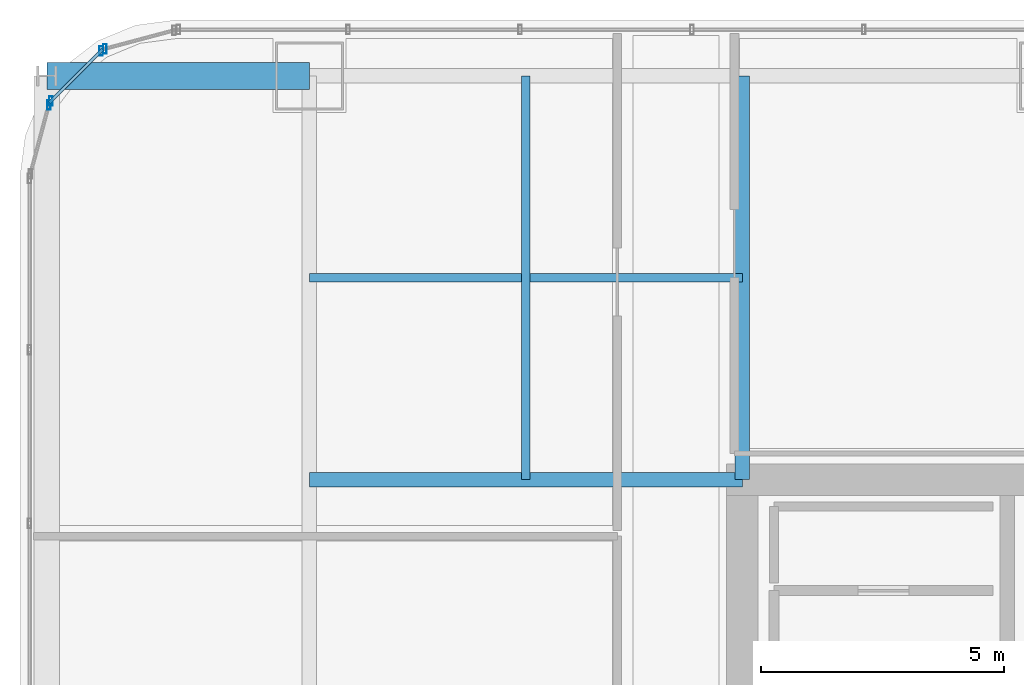
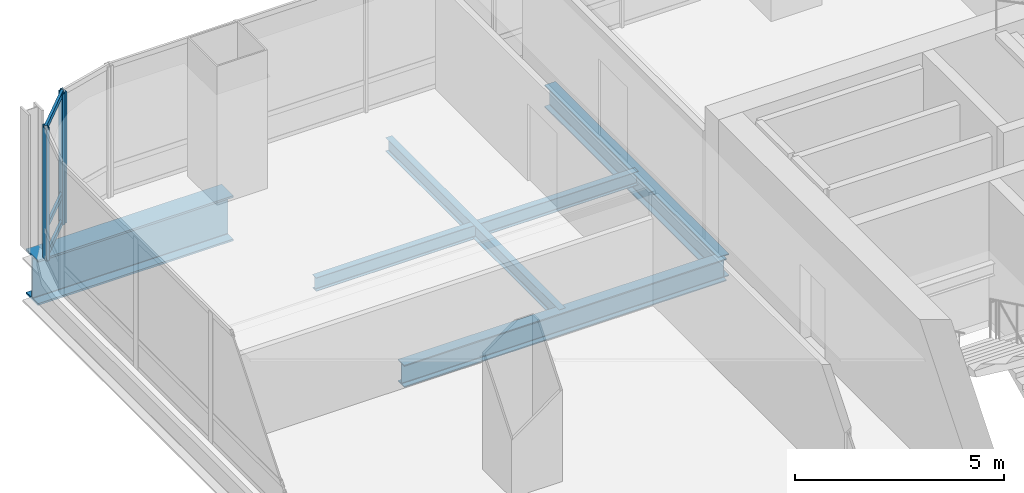
# One storey, part 19 of 37: 7 members, 5 beams, 3 elements without a shape of their own.
"""IFC4 building model written with IfcOpenShell, lengths in metres."""

from ifc_helpers import new_model, si_unit, direction, frame, origin, origin_2d, place, context, subcontext, project, spatial, hollow_rectangle, i_section, extrude, material, material_profile, profile_set, type_object, element, aggregate, save


model = new_model("IFC4")

# Units and contexts
model_context = context("Model", 3, precision=1e-05, world=origin(), true_north=direction((0.0, 1.0)))
body_context = subcontext(model_context, "Body", "Model", "MODEL_VIEW")
ifc_project = project(units=[si_unit("LENGTHUNIT", "METRE"), si_unit("AREAUNIT", "SQUARE_METRE"), si_unit("VOLUMEUNIT", "CUBIC_METRE"), si_unit("PLANEANGLEUNIT", "RADIAN"), si_unit("MASSUNIT", "GRAM", prefix="KILO")], contexts=[model_context])

# Site, building, storey
site_placement = place(None, origin())
site = spatial("IfcSite", under=ifc_project, at=site_placement, CompositionType="ELEMENT")
building_placement = place(site_placement, origin())
building = spatial("IfcBuilding", under=site, at=building_placement, Name="Punatoya Terracotta Tower", CompositionType="ELEMENT")
storey_placement = place(building_placement, frame((0.0, 0.0, 192.449951171875)))
storey = spatial("IfcBuildingStorey", under=building, at=storey_placement, Name="L45", CompositionType="ELEMENT", Elevation=192.449951171875)

# Beams
ifc_material_1 = material(Name="Steel S355", Category="steel")
ifc_material_profile_1 = material_profile(ifc_material_1, i_section(OverallWidth=0.300048828125, OverallDepth=0.64990234375, WebThickness=0.01611328125, FlangeThickness=0.031005859375, FilletRadius=0.01806640625, at=origin_2d()))
ifc_profile_set_1 = profile_set([ifc_material_profile_1], Name="Steel S355")
beam_type_1 = type_object("IfcBeamType", Name="BM-PRI-650", PredefinedType="BEAM", material=ifc_profile_set_1)
beam_1_placement = place(storey_placement, frame((-19.10009765625, 9.199951171875, -0.544921875), z_axis=(1.0, 0.0, 0.0), x_axis=(0.0, 1.0, 0.0)))
element("IfcBeam", 1, at=beam_1_placement, inside=storey, type_object=beam_type_1, Name="BM-L45-PR-WN", PredefinedType="BEAM", context=body_context, shape_type="SweptSolid", body=[
    extrude(i_section(OverallWidth=0.300048828125, OverallDepth=0.64990234375, WebThickness=0.01611328125, FlangeThickness=0.031005859375, FilletRadius=0.01806640625, at=origin_2d()), origin(), (0.0, 0.0, 1.0), 8.900146484375),
])
beam_2_placement = place(storey_placement, frame((-10.199951171875, 9.199951171875, -0.544921875), z_axis=(0.0, 1.0, 0.0), x_axis=(-1.0, 0.0, 0.0)))
element("IfcBeam", 2, at=beam_2_placement, inside=storey, type_object=beam_type_1, Name="BM-L45-PR-N1", PredefinedType="BEAM", context=body_context, shape_type="SweptSolid", body=[
    extrude(i_section(OverallWidth=0.300048828125, OverallDepth=0.64990234375, WebThickness=0.01611328125, FlangeThickness=0.031005859375, FilletRadius=0.01806640625, at=origin_2d()), origin(), (0.0, 0.0, 1.0), 8.300048828125),
])
ifc_material_profile_2 = material_profile(ifc_material_1, i_section(OverallWidth=0.179931640625, OverallDepth=0.39990234375, WebThickness=0.008544921875, FlangeThickness=0.013427734375, FilletRadius=0.01806640625, at=origin_2d()))
ifc_profile_set_2 = profile_set([ifc_material_profile_2], Name="Steel S355")
beam_type_2 = type_object("IfcBeamType", Name="BM-SEC-400", PredefinedType="JOIST", material=ifc_profile_set_2)
beam_3_placement = place(storey_placement, frame((-19.10009765625, 13.35009765625, -0.419921875), z_axis=(1.0, 0.0, 0.0), x_axis=(0.0, 1.0, 0.0)))
element("IfcBeam", 3, at=beam_3_placement, inside=storey, type_object=beam_type_2, Name="BM-L45-SJN-1", PredefinedType="JOIST", context=body_context, shape_type="SweptSolid", body=[
    extrude(i_section(OverallWidth=0.179931640625, OverallDepth=0.39990234375, WebThickness=0.008544921875, FlangeThickness=0.013427734375, FilletRadius=0.01806640625, at=origin_2d()), origin(), (0.0, 0.0, 1.0), 8.900146484375),
])
beam_4_placement = place(storey_placement, frame((-14.64990234375, 9.199951171875, -0.419921875), z_axis=(0.0, 1.0, 0.0), x_axis=(-1.0, 0.0, 0.0)))
element("IfcBeam", 4, at=beam_4_placement, inside=storey, type_object=beam_type_2, Name="BM-L45-SJW-2", PredefinedType="JOIST", context=body_context, shape_type="SweptSolid", body=[
    extrude(i_section(OverallWidth=0.179931640625, OverallDepth=0.39990234375, WebThickness=0.008544921875, FlangeThickness=0.013427734375, FilletRadius=0.01806640625, at=origin_2d()), origin(), (0.0, 0.0, 1.0), 8.300048828125),
])
ifc_material_2 = material(Name="Steel S460", Category="steel")
ifc_material_profile_3 = material_profile(ifc_material_2, i_section(OverallWidth=0.56005859375, OverallDepth=1.320068359375, WebThickness=0.035888671875, FlangeThickness=0.054931640625, FilletRadius=0.01806640625, at=origin_2d()))
ifc_profile_set_3 = profile_set([ifc_material_profile_3], Name="Steel S460")
beam_type_3 = type_object("IfcBeamType", Name="BM-TG-BLK", PredefinedType="BEAM", material=ifc_profile_set_3)
beam_5_placement = place(storey_placement, frame((-24.5, 17.5, -0.8798828125), z_axis=(1.0, 0.0, 0.0), x_axis=(0.0, 1.0, 0.0)))
element("IfcBeam", 5, at=beam_5_placement, inside=storey, type_object=beam_type_3, Name="BM-L45-CANT-W4", PredefinedType="BEAM", context=body_context, shape_type="SweptSolid", body=[
    extrude(i_section(OverallWidth=0.56005859375, OverallDepth=1.320068359375, WebThickness=0.035888671875, FlangeThickness=0.054931640625, FilletRadius=0.01806640625, at=origin_2d()), origin(), (0.0, 0.0, 1.0), 5.39990234375),
])

# Curtain wall, member
ifc_material_3 = material(Name="Aluminium 6063-T6 + Double Low-E Glass", Category="aluminium")
curtain_wall_type = type_object("IfcCurtainWallType", Name="CW-M2", PredefinedType="NOTDEFINED", material=ifc_material_3)
curtain_wall_1_placement = place(storey_placement, origin())
curtain_wall_1 = element("IfcCurtainWall", 6, at=curtain_wall_1_placement, inside=storey, type_object=curtain_wall_type, Name="L45 Curtain Wall CW-L45-CRN10", PredefinedType="NOTDEFINED")
ifc_material_4 = material(Name="Aluminium 6063-T6", Category="aluminium")
ifc_material_profile_4 = material_profile(ifc_material_4, hollow_rectangle(XDim=0.072021484375, YDim=0.195068359375, WallThickness=0.00439453125, at=origin_2d()))
ifc_profile_set_4 = profile_set([ifc_material_profile_4], Name="Aluminium 6063-T6")
member_type_1 = type_object("IfcMemberType", Name="CW-MUL-M2", PredefinedType="MULLION", material=ifc_profile_set_4)
member_1_placement = place(storey_placement, frame((-23.3056640625, 18.05810546875, 0.0), z_axis=(0.0, 0.0, 1.0), x_axis=(1.0, 0.0, 0.0)))
member_1 = element("IfcMember", 7, at=member_1_placement, type_object=member_type_1, Name="CW-L45-CRN10 Mullion 01", PredefinedType="MULLION", context=body_context, shape_type="SweptSolid", body=[
    extrude(hollow_rectangle(XDim=0.072021484375, YDim=0.195068359375, WallThickness=0.00439453125, at=origin_2d()), origin(), (0.0, 0.0, 1.0), 3.830078125),
])
aggregate(curtain_wall_1, [member_1])

# Curtain wall, members
curtain_wall_2_placement = place(storey_placement, origin())
curtain_wall_2 = element("IfcCurtainWall", 8, at=curtain_wall_2_placement, inside=storey, type_object=curtain_wall_type, Name="L45 Curtain Wall CW-L45-CRN11", PredefinedType="NOTDEFINED")
member_2_placement = place(storey_placement, frame((-23.380859375, 18.014892578125, 0.0), z_axis=(0.0, 0.0, 1.0), x_axis=(1.0, 0.0, 0.0)))
member_2 = element("IfcMember", 9, at=member_2_placement, type_object=member_type_1, Name="CW-L45-CRN11 Mullion 00", PredefinedType="MULLION", context=body_context, shape_type="SweptSolid", body=[
    extrude(hollow_rectangle(XDim=0.072021484375, YDim=0.195068359375, WallThickness=0.00439453125, at=origin_2d()), origin(), (0.0, 0.0, 1.0), 3.830078125),
])
member_3_placement = place(storey_placement, frame((-24.414794921875, 16.98095703125, 0.0), z_axis=(0.0, 0.0, 1.0), x_axis=(1.0, 0.0, 0.0)))
member_3 = element("IfcMember", 10, at=member_3_placement, type_object=member_type_1, Name="CW-L45-CRN11 Mullion 01", PredefinedType="MULLION", context=body_context, shape_type="SweptSolid", body=[
    extrude(hollow_rectangle(XDim=0.072021484375, YDim=0.195068359375, WallThickness=0.00439453125, at=origin_2d()), origin(), (0.0, 0.0, 1.0), 3.830078125),
])

# Curtain wall, member
curtain_wall_3_placement = place(storey_placement, origin())
curtain_wall_3 = element("IfcCurtainWall", 11, at=curtain_wall_3_placement, inside=storey, type_object=curtain_wall_type, Name="L45 Curtain Wall CW-L45-CRN12", PredefinedType="NOTDEFINED")
member_4_placement = place(storey_placement, frame((-24.458251953125, 16.905517578125, 0.0), z_axis=(0.0, 0.0, 1.0), x_axis=(1.0, 0.0, 0.0)))
member_4 = element("IfcMember", 12, at=member_4_placement, type_object=member_type_1, Name="CW-L45-CRN12 Mullion 00", PredefinedType="MULLION", context=body_context, shape_type="SweptSolid", body=[
    extrude(hollow_rectangle(XDim=0.072021484375, YDim=0.195068359375, WallThickness=0.00439453125, at=origin_2d()), origin(), (0.0, 0.0, 1.0), 3.830078125),
])
aggregate(curtain_wall_3, [member_4])

# Member
ifc_material_profile_5 = material_profile(ifc_material_4, hollow_rectangle(XDim=0.068115234375, YDim=0.14990234375, WallThickness=0.00390625, at=origin_2d()))
ifc_profile_set_5 = profile_set([ifc_material_profile_5], Name="Aluminium 6063-T6")
member_type_2 = type_object("IfcMemberType", Name="CW-TRN-TYP", PredefinedType="USERDEFINED", material=ifc_profile_set_5)
member_5_placement = place(storey_placement, frame((-23.34912109375, 18.046630859375, 0.0400390625), z_axis=(-0.707106781187, -0.707106781187, 0.0), x_axis=(0.707106781187, -0.707106781187, 0.0)))
member_5 = element("IfcMember", 13, at=member_5_placement, type_object=member_type_2, Name="CW-L45-CRN11 Transom 1", ObjectType="TRANSOM", PredefinedType="USERDEFINED", context=body_context, shape_type="SweptSolid", body=[
    extrude(hollow_rectangle(XDim=0.068115234375, YDim=0.14990234375, WallThickness=0.00390625, at=origin_2d()), origin(), (0.0, 0.0, 1.0), 1.552001953125),
])

member_6_placement = place(storey_placement, frame((-23.34912109375, 18.046630859375, 0.85009765625), z_axis=(-0.707106781187, -0.707106781187, 0.0), x_axis=(0.707106781187, -0.707106781187, 0.0)))
member_6 = element("IfcMember", 14, at=member_6_placement, type_object=member_type_2, Name="CW-L45-CRN11 Transom 2", ObjectType="TRANSOM", PredefinedType="USERDEFINED", context=body_context, shape_type="SweptSolid", body=[
    extrude(hollow_rectangle(XDim=0.068115234375, YDim=0.14990234375, WallThickness=0.00390625, at=origin_2d()), origin(), (0.0, 0.0, 1.0), 1.552001953125),
])

member_7_placement = place(storey_placement, frame((-23.34912109375, 18.046630859375, 3.7900390625), z_axis=(-0.707106781187, -0.707106781187, 0.0), x_axis=(0.707106781187, -0.707106781187, 0.0)))
member_7 = element("IfcMember", 15, at=member_7_placement, type_object=member_type_2, Name="CW-L45-CRN11 Transom 3", ObjectType="TRANSOM", PredefinedType="USERDEFINED", context=body_context, shape_type="SweptSolid", body=[
    extrude(hollow_rectangle(XDim=0.068115234375, YDim=0.14990234375, WallThickness=0.00390625, at=origin_2d()), origin(), (0.0, 0.0, 1.0), 1.552001953125),
])

aggregate(curtain_wall_2, [member_2, member_3, member_5, member_6, member_7])

save(model, "model.ifc")
